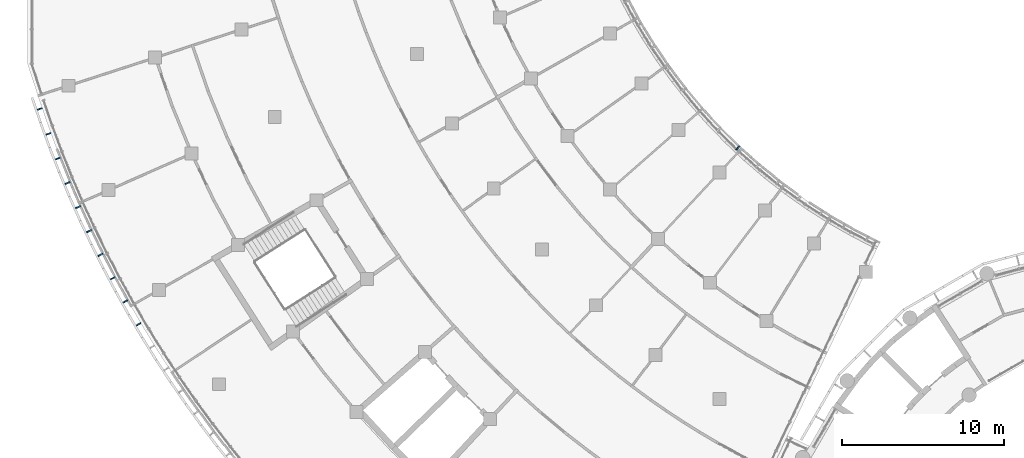
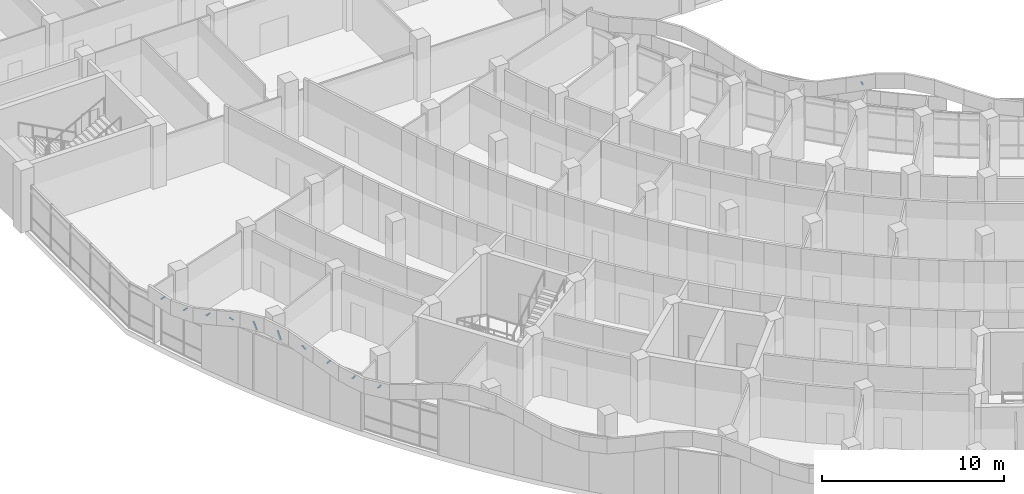
# One storey, part 87 of 109: 11 discrete accessories.
"""IFC4 building model written with IfcOpenShell, lengths in metres."""

from ifc_helpers import new_model, si_unit, direction, frame, origin, origin_2d, place, context, subcontext, project, spatial, rectangle, extrude, material, material_profile, profile_set, type_object, element, save


model = new_model("IFC4")

# Units and contexts
model_context = context("Model", 3, precision=1e-05, world=origin(), true_north=direction((0.0, 1.0)))
body_context = subcontext(model_context, "Body", "Model", "MODEL_VIEW")
ifc_project = project(units=[si_unit("LENGTHUNIT", "METRE"), si_unit("AREAUNIT", "SQUARE_METRE"), si_unit("VOLUMEUNIT", "CUBIC_METRE"), si_unit("PLANEANGLEUNIT", "RADIAN"), si_unit("MASSUNIT", "GRAM", prefix="KILO")], contexts=[model_context])

# Site, building, storey
site_placement = place(None, origin())
site = spatial("IfcSite", under=ifc_project, at=site_placement, CompositionType="ELEMENT")
building_placement = place(site_placement, origin())
building = spatial("IfcBuilding", under=site, at=building_placement, Name="Bougainvillea Quay General Hospital", CompositionType="ELEMENT")
storey_placement = place(building_placement, frame((0.0, 0.0, 12.60009765625)))
storey = spatial("IfcBuildingStorey", under=building, at=storey_placement, Name="L02", CompositionType="ELEMENT", Elevation=12.60009765625)

# Discrete accessories
ifc_material = material(Name="Stainless steel bracket, grade 316", Category="steel")
ifc_material_profile = material_profile(ifc_material, rectangle(XDim=0.080078125, YDim=0.050048828125, at=origin_2d()))
ifc_profile_set = profile_set([ifc_material_profile], Name="Stainless steel bracket, grade 316")
discrete_accessory_type = type_object("IfcDiscreteAccessoryType", Name="Stainless steel stand-off bracket 80x50", PredefinedType="BRACKET", material=ifc_profile_set)
for number, where, z_axis, x_axis, name in (
    (1, (42.8857421875, 103.60009765625, 3.525146484375), (-0.947455279427, -0.319888251559, 0.0), (0.319888251559, -0.947455279427, 0.0), "Fascia bracket a01 1"),
    (2, (43.4228515625, 102.068603515625, 3.504638671875), (-0.939793423488, -0.341743063087, 0.0), (0.341743063087, -0.939793423488, 0.0), "Fascia bracket a01 2"),
):
    element("IfcDiscreteAccessory", number, at=place(storey_placement, frame(where, z_axis=z_axis, x_axis=x_axis)), inside=storey, type_object=discrete_accessory_type, Name=name, PredefinedType="BRACKET", context=body_context, shape_type="SweptSolid", body=[
        extrude(rectangle(XDim=0.080078125, YDim=0.050048828125, at=origin_2d()), origin(), (0.0, 0.0, 1.0), 0.300048828125),
    ])
discrete_accessory_1_placement = place(storey_placement, frame((43.995361328125, 100.5498046875, 3.88232421875), z_axis=(-0.931698658932, -0.363232169479, 0.0), x_axis=(0.363232169479, -0.931698658932, 0.0)))
element("IfcDiscreteAccessory", 3, at=discrete_accessory_1_placement, inside=storey, type_object=discrete_accessory_type, Name="Fascia bracket a01 3", PredefinedType="BRACKET", context=body_context, shape_type="SweptSolid", body=[
    extrude(rectangle(XDim=0.080078125, YDim=0.050048828125, at=origin_2d()), origin(), (0.0, 0.0, 1.0), 0.2998046875),
])
discrete_accessory_2_placement = place(storey_placement, frame((44.60302734375, 99.044921875, 4.139892578125), z_axis=(-0.650144609323, -0.271180247099, 0.709769864499), x_axis=(0.384962096424, -0.922932383394, 0.0)))
element("IfcDiscreteAccessory", 4, at=discrete_accessory_2_placement, inside=storey, type_object=discrete_accessory_type, Name="Fascia bracket a01 4", PredefinedType="BRACKET", context=body_context, shape_type="SweptSolid", body=[
    extrude(rectangle(XDim=0.080078125, YDim=0.050048828125, at=origin_2d()), origin(), (0.0, 0.0, 1.0), 0.42578125),
])
discrete_accessory_3_placement = place(storey_placement, frame((45.245361328125, 97.554443359375, 4.139892578125), z_axis=(-0.350193207026, -0.155606776764, 0.923661869289), x_axis=(0.406062961772, -0.913845102344, 0.0)))
element("IfcDiscreteAccessory", 5, at=discrete_accessory_3_placement, inside=storey, type_object=discrete_accessory_type, Name="Fascia bracket a01 5", PredefinedType="BRACKET", context=body_context, shape_type="SweptSolid", body=[
    extrude(rectangle(XDim=0.080078125, YDim=0.050048828125, at=origin_2d()), origin(), (0.0, 0.0, 1.0), 0.782958984375),
])
discrete_accessory_4_placement = place(storey_placement, frame((45.922119140625, 96.079345703125, 4.139892578125), z_axis=(-0.330570136171, -0.156507553218, 0.930714118759), x_axis=(0.427911485157, -0.903820646406, 0.0)))
element("IfcDiscreteAccessory", 6, at=discrete_accessory_4_placement, inside=storey, type_object=discrete_accessory_type, Name="Fascia bracket a01 6", PredefinedType="BRACKET", context=body_context, shape_type="SweptSolid", body=[
    extrude(rectangle(XDim=0.080078125, YDim=0.050048828125, at=origin_2d()), origin(), (0.0, 0.0, 1.0), 0.820556640625),
])
discrete_accessory_5_placement = place(storey_placement, frame((46.6328125, 94.6201171875, 4.139892578125), z_axis=(-0.535636140253, -0.268793727941, 0.800527236935), x_axis=(0.448515525812, -0.893775040547, 0.0)))
element("IfcDiscreteAccessory", 7, at=discrete_accessory_5_placement, inside=storey, type_object=discrete_accessory_type, Name="Fascia bracket a01 7", PredefinedType="BRACKET", context=body_context, shape_type="SweptSolid", body=[
    extrude(rectangle(XDim=0.080078125, YDim=0.050048828125, at=origin_2d()), origin(), (0.0, 0.0, 1.0), 0.50048828125),
])
discrete_accessory_6_placement = place(storey_placement, frame((47.377197265625, 93.177978515625, 3.98193359375), z_axis=(-0.883252701422, -0.468897286653, 0.0), x_axis=(0.468897286653, -0.883252701422, 0.0)))
element("IfcDiscreteAccessory", 8, at=discrete_accessory_6_placement, inside=storey, type_object=discrete_accessory_type, Name="Fascia bracket a01 8", PredefinedType="BRACKET", context=body_context, shape_type="SweptSolid", body=[
    extrude(rectangle(XDim=0.080078125, YDim=0.050048828125, at=origin_2d()), origin(), (0.0, 0.0, 1.0), 0.2998046875),
])
discrete_accessory_7_placement = place(storey_placement, frame((48.15478515625, 91.75341796875, 3.548583984375), z_axis=(-0.871727655673, -0.489990708417, 0.0), x_axis=(0.489990708417, -0.871727655673, 0.0)))
element("IfcDiscreteAccessory", 9, at=discrete_accessory_7_placement, inside=storey, type_object=discrete_accessory_type, Name="Fascia bracket a01 9", PredefinedType="BRACKET", context=body_context, shape_type="SweptSolid", body=[
    extrude(rectangle(XDim=0.080078125, YDim=0.050048828125, at=origin_2d()), origin(), (0.0, 0.0, 1.0), 0.300048828125),
])
discrete_accessory_8_placement = place(storey_placement, frame((48.96533203125, 90.34716796875, 3.488525390625), z_axis=(-0.860423732002, -0.509579239577, 0.0), x_axis=(0.509579239577, -0.860423732002, 0.0)))
element("IfcDiscreteAccessory", 10, at=discrete_accessory_8_placement, inside=storey, type_object=discrete_accessory_type, Name="Fascia bracket a01 10", PredefinedType="BRACKET", context=body_context, shape_type="SweptSolid", body=[
    extrude(rectangle(XDim=0.080078125, YDim=0.050048828125, at=origin_2d()), origin(), (0.0, 0.0, 1.0), 0.2998046875),
])
discrete_accessory_9_placement = place(storey_placement, frame((85.89794921875, 101.254150390625, 4.139892578125), z_axis=(-0.422589762036, -0.448687942115, 0.787462395053), x_axis=(0.727960895499, -0.685618651018, 0.0)))
element("IfcDiscreteAccessory", 11, at=discrete_accessory_9_placement, inside=storey, type_object=discrete_accessory_type, Name="Fascia bracket a11 7", PredefinedType="BRACKET", context=body_context, shape_type="SweptSolid", body=[
    extrude(rectangle(XDim=0.080078125, YDim=0.050048828125, at=origin_2d()), origin(), (0.0, 0.0, 1.0), 0.486328125),
])

save(model, "model.ifc")
